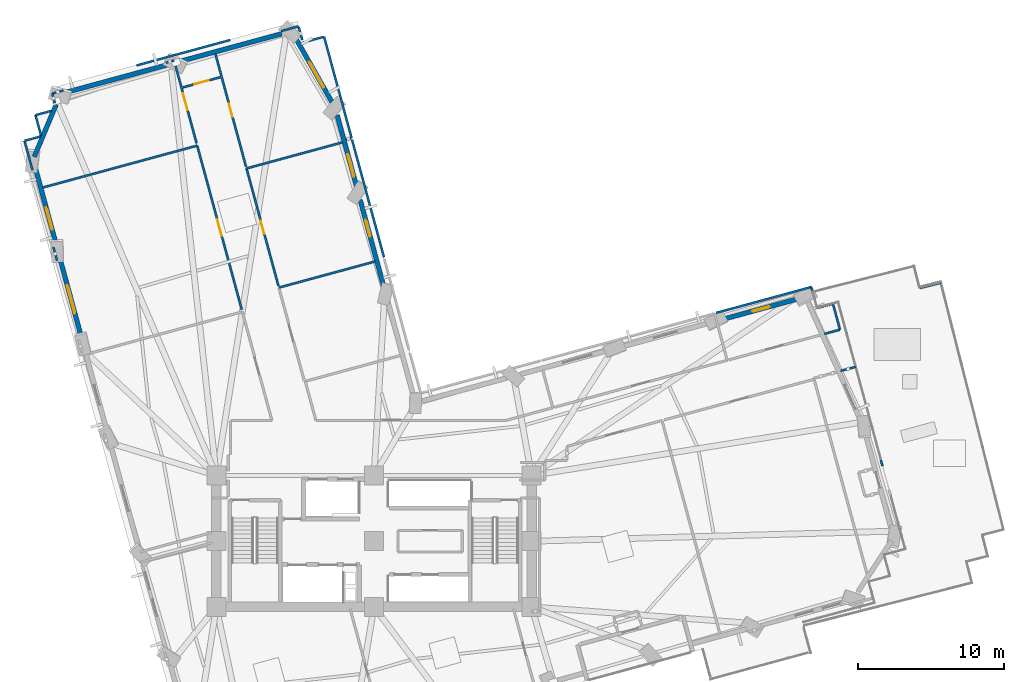
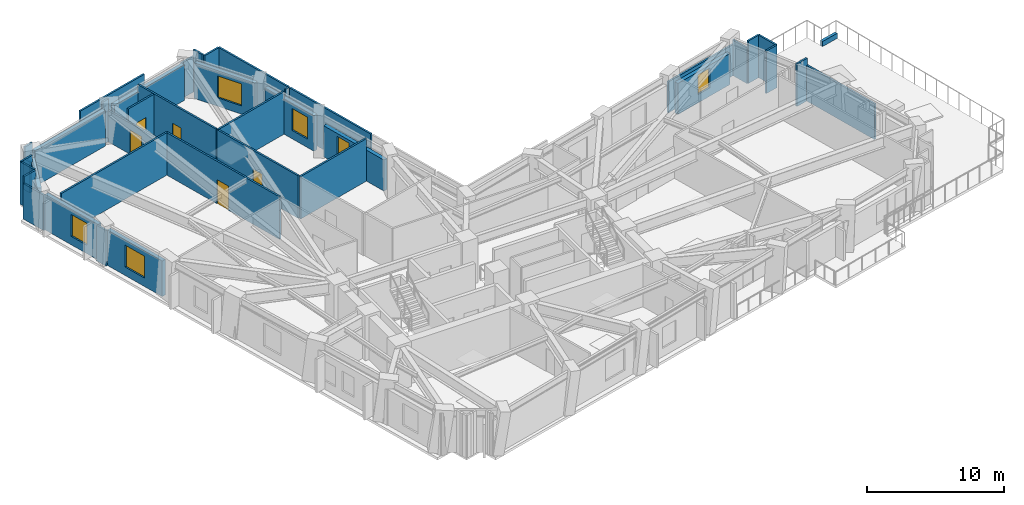
# One storey, part 10 of 15: 40 walls, 6 windows, 5 doors, 11 openings.
"""IFC4 building model written with IfcOpenShell, lengths in metres."""

from ifc_helpers import new_model, si_unit, direction, frame, frame_2d, origin, place, context, subcontext, project, spatial, rectangle, extrude, material, layer, layer_set, type_object, element, fill, save


model = new_model("IFC4")

# Units and contexts
model_context = context("Model", 3, precision=1e-05, world=origin(), true_north=direction((0.0, 1.0)))
body_context = subcontext(model_context, "Body", "Model", "MODEL_VIEW")
ifc_project = project(units=[si_unit("LENGTHUNIT", "METRE"), si_unit("AREAUNIT", "SQUARE_METRE"), si_unit("VOLUMEUNIT", "CUBIC_METRE"), si_unit("PLANEANGLEUNIT", "RADIAN"), si_unit("MASSUNIT", "GRAM", prefix="KILO")], contexts=[model_context])

# Site, building, storey
site_placement = place(None, origin())
site = spatial("IfcSite", under=ifc_project, at=site_placement, CompositionType="ELEMENT")
building_placement = place(site_placement, origin())
building = spatial("IfcBuilding", under=site, at=building_placement, Name="Gaonmaruhae Medical Tower", CompositionType="ELEMENT")
storey_placement = place(building_placement, frame((0.0, 0.0, 88.39990234375)))
storey = spatial("IfcBuildingStorey", under=building, at=storey_placement, Name="L20", CompositionType="ELEMENT", Elevation=88.39990234375)

# Wall, opening, window
ifc_material_1 = material(Name="Precast concrete C45/55", Category="concrete")
ifc_layer_1 = layer(ifc_material_1, 0.320068359375)
ifc_layer_set_1 = layer_set([ifc_layer_1], Name="Precast concrete C45/55")
wall_type_1 = type_object("IfcWallType", Name="EW-320 Lower Precast Masonry-Frame Facade Wall", PredefinedType="SOLIDWALL", material=ifc_layer_set_1)
wall_1_placement = place(storey_placement, frame((48.7099609375, 27.50634765625, 0.0), z_axis=(0.0, 0.0, 1.0), x_axis=(0.965018764752, 0.262180822479, 0.0)))
wall_1 = element("IfcWall", 1, at=wall_1_placement, inside=storey, type_object=wall_type_1, Name="L20 Precast Masonry-Frame Wall E03-EN01", PredefinedType="SOLIDWALL", context=body_context, shape_type="SweptSolid", body=[
    extrude(rectangle(XDim=5.404541015625, YDim=0.320068359375, at=frame_2d((2.7021484375, 0.0))), origin(), (0.0, 0.0, 1.0), 2.76513671875),
])
opening_1_placement = place(wall_1_placement, frame((2.09814453125, 0.0, 0.75)))
opening_1 = element("IfcOpeningElement", 2, at=opening_1_placement, cuts=wall_1, Name="Opening WN-05", PredefinedType="OPENING", context=body_context, shape_type="SweptSolid", body=[
    extrude(rectangle(XDim=1.199951171875, YDim=1.75, at=frame_2d((0.60009765625, 0.875))), frame((0.0, 0.169921875, 0.0), z_axis=(0.0, -1.0, 0.0), x_axis=(1.0, 0.0, 0.0)), (0.0, 0.0, 1.0), 0.340087890625),
])
ifc_material_2 = material(Name="Anodised aluminium and Low-E double glazing", Category="aluminium")
window_type_1 = type_object("IfcWindowType", Name="WN-05 Support & Staff Punched Window 1200x1750", PartitioningType="SINGLE_PANEL", PredefinedType="WINDOW", material=ifc_material_2)
window_1_placement = place(opening_1_placement, origin())
window_1 = element("IfcWindow", 3, at=window_1_placement, inside=storey, type_object=window_type_1, Name="L20 Modular Facade Window E03", OverallHeight=1.75, OverallWidth=1.199951171875, PartitioningType="SINGLE_PANEL", PredefinedType="WINDOW", context=body_context, shape_type="SweptSolid", body=[
    extrude(rectangle(XDim=1.199951171875, YDim=1.75, at=frame_2d((0.60009765625, 0.875))), frame((0.0, 0.030029296875, 0.0), z_axis=(0.0, -1.0, 0.0), x_axis=(1.0, 0.0, 0.0)), (0.0, 0.0, 1.0), 0.06005859375),
])
fill(opening_1, window_1)

wall_2_placement = place(storey_placement, frame((23.8544921875, 35.68701171875, 0.0), z_axis=(0.0, 0.0, 1.0), x_axis=(0.262204330766, -0.965012377603, 0.0)))
wall_2 = element("IfcWall", 4, at=wall_2_placement, inside=storey, type_object=wall_type_1, Name="L20 Precast Masonry-Frame Wall NE01-NE02", PredefinedType="SOLIDWALL", context=body_context, shape_type="SweptSolid", body=[
    extrude(rectangle(XDim=6.22265625, YDim=0.320068359375, at=frame_2d((3.111328125, 0.0))), origin(), (0.0, 0.0, 1.0), 2.76513671875),
])
opening_2_placement = place(wall_2_placement, frame((1.40869140625, 0.0, 0.75)))
opening_2 = element("IfcOpeningElement", 5, at=opening_2_placement, cuts=wall_2, Name="Opening WN-05", PredefinedType="OPENING", context=body_context, shape_type="SweptSolid", body=[
    extrude(rectangle(XDim=1.199951171875, YDim=1.75, at=frame_2d((0.60009765625, 0.875))), frame((0.0, 0.169921875, 0.0), z_axis=(0.0, -1.0, 0.0), x_axis=(1.0, 0.0, 0.0)), (0.0, 0.0, 1.0), 0.340087890625),
])
window_2_placement = place(opening_2_placement, origin())
window_2 = element("IfcWindow", 6, at=window_2_placement, inside=storey, type_object=window_type_1, Name="L20 Modular Facade Window NE01", OverallHeight=1.75, OverallWidth=1.199951171875, PartitioningType="SINGLE_PANEL", PredefinedType="WINDOW", context=body_context, shape_type="SweptSolid", body=[
    extrude(rectangle(XDim=1.199951171875, YDim=1.75, at=frame_2d((0.60009765625, 0.875))), frame((0.0, 0.030029296875, 0.0), z_axis=(0.0, -1.0, 0.0), x_axis=(1.0, 0.0, 0.0)), (0.0, 0.0, 1.0), 0.06005859375),
])
fill(opening_2, window_2)

wall_3_placement = place(storey_placement, frame((22.27783203125, 41.49072265625, 0.0), z_axis=(0.0, 0.0, 1.0), x_axis=(0.262175888255, -0.965020105292, 0.0)))
wall_3 = element("IfcWall", 7, at=wall_3_placement, inside=storey, type_object=wall_type_1, Name="L20 Precast Masonry-Frame Wall NE02-NE03", PredefinedType="SOLIDWALL", context=body_context, shape_type="SweptSolid", body=[
    extrude(rectangle(XDim=5.047119140625, YDim=0.320068359375, at=frame_2d((2.5234375, 0.0))), origin(), (0.0, 0.0, 1.0), 3.1650390625),
])
opening_3_placement = place(wall_3_placement, frame((2.773193359375, 0.0, 0.75)))
opening_3 = element("IfcOpeningElement", 8, at=opening_3_placement, cuts=wall_3, Name="Opening WN-01", PredefinedType="OPENING", context=body_context, shape_type="SweptSolid", body=[
    extrude(rectangle(XDim=1.60009765625, YDim=1.949951171875, at=frame_2d((0.800048828125, 0.97509765625))), frame((0.0, 0.169921875, 0.0), z_axis=(0.0, -1.0, 0.0), x_axis=(1.0, 0.0, 0.0)), (0.0, 0.0, 1.0), 0.340087890625),
])
window_type_2 = type_object("IfcWindowType", Name="WN-01 Ward Punched Acoustic Window 1600x1950", PartitioningType="SINGLE_PANEL", PredefinedType="WINDOW", material=ifc_material_2)
window_3_placement = place(opening_3_placement, origin())
window_3 = element("IfcWindow", 9, at=window_3_placement, inside=storey, type_object=window_type_2, Name="L20 Modular Facade Window NE02", OverallHeight=1.949951171875, OverallWidth=1.60009765625, PartitioningType="SINGLE_PANEL", PredefinedType="WINDOW", context=body_context, shape_type="SweptSolid", body=[
    extrude(rectangle(XDim=1.60009765625, YDim=1.949951171875, at=frame_2d((0.800048828125, 0.97509765625))), frame((0.0, 0.030029296875, 0.0), z_axis=(0.0, -1.0, 0.0), x_axis=(1.0, 0.0, 0.0)), (0.0, 0.0, 1.0), 0.06005859375),
])
fill(opening_3, window_3)

wall_4_placement = place(storey_placement, frame((19.38525390625, 46.850341796875, 0.0), z_axis=(0.0, 0.0, 1.0), x_axis=(0.49366585325, -0.869651668966, 0.0)))
wall_4 = element("IfcWall", 10, at=wall_4_placement, inside=storey, type_object=wall_type_1, Name="L20 Precast Masonry-Frame Wall NE03-N01", PredefinedType="SOLIDWALL", context=body_context, shape_type="SweptSolid", body=[
    extrude(rectangle(XDim=5.12841796875, YDim=0.320068359375, at=frame_2d((2.564208984375, 0.0))), origin(), (0.0, 0.0, 1.0), 3.1650390625),
])
opening_4_placement = place(wall_4_placement, frame((1.993408203125, 0.0, 0.75)))
opening_4 = element("IfcOpeningElement", 11, at=opening_4_placement, cuts=wall_4, Name="Opening WN-02", PredefinedType="OPENING", context=body_context, shape_type="SweptSolid", body=[
    extrude(rectangle(XDim=2.0, YDim=1.949951171875, at=frame_2d((1.0, 0.97509765625))), frame((0.0, 0.169921875, 0.0), z_axis=(0.0, -1.0, 0.0), x_axis=(1.0, 0.0, 0.0)), (0.0, 0.0, 1.0), 0.340087890625),
])
window_type_3 = type_object("IfcWindowType", Name="WN-02 Double-Bed Ward Punched Window 2000x1950", PartitioningType="SINGLE_PANEL", PredefinedType="WINDOW", material=ifc_material_2)
window_4_placement = place(opening_4_placement, origin())
window_4 = element("IfcWindow", 12, at=window_4_placement, inside=storey, type_object=window_type_3, Name="L20 Modular Facade Window NE03", OverallHeight=1.949951171875, OverallWidth=2.0, PartitioningType="SINGLE_PANEL", PredefinedType="WINDOW", context=body_context, shape_type="SweptSolid", body=[
    extrude(rectangle(XDim=2.0, YDim=1.949951171875, at=frame_2d((1.0, 0.97509765625))), frame((0.0, 0.030029296875, 0.0), z_axis=(0.0, -1.0, 0.0), x_axis=(1.0, 0.0, 0.0)), (0.0, 0.0, 1.0), 0.06005859375),
])
fill(opening_4, window_4)

# Walls
wall_5_placement = place(storey_placement, frame((11.503662109375, 45.169189453125, 0.0), z_axis=(0.0, 0.0, 1.0), x_axis=(0.965021257098, 0.262171648638, 0.0)))
element("IfcWall", 13, at=wall_5_placement, inside=storey, type_object=wall_type_1, Name="L20 Precast Masonry-Frame Wall N01-N02", PredefinedType="SOLIDWALL", context=body_context, shape_type="SweptSolid", body=[
    extrude(rectangle(XDim=7.23095703125, YDim=0.320068359375, at=frame_2d((3.615478515625, 0.0))), origin(), (0.0, 0.0, 1.0), 3.1650390625),
])
wall_6_placement = place(storey_placement, frame((3.56689453125, 43.0126953125, 0.0), z_axis=(0.0, 0.0, 1.0), x_axis=(0.965013691383, 0.262199495505, 0.0)))
element("IfcWall", 14, at=wall_6_placement, inside=storey, type_object=wall_type_1, Name="L20 Precast Masonry-Frame Wall N02-N03", PredefinedType="SOLIDWALL", context=body_context, shape_type="SweptSolid", body=[
    extrude(rectangle(XDim=7.270263671875, YDim=0.320068359375, at=frame_2d((3.63525390625, 0.0))), origin(), (0.0, 0.0, 1.0), 3.1650390625),
])
wall_7_placement = place(storey_placement, frame((1.52685546875, 38.637939453125, 0.0), z_axis=(0.0, 0.0, 1.0), x_axis=(0.386330597776, 0.922360379256, 0.0)))
element("IfcWall", 15, at=wall_7_placement, inside=storey, type_object=wall_type_1, Name="L20 Precast Masonry-Frame Wall N03-W01", PredefinedType="SOLIDWALL", context=body_context, shape_type="SweptSolid", body=[
    extrude(rectangle(XDim=3.8896484375, YDim=0.320068359375, at=frame_2d((1.94482421875, 0.0))), origin(), (0.0, 0.0, 1.0), 3.1650390625),
])

# Wall, opening, window
wall_8_placement = place(storey_placement, frame((3.05908203125, 32.51416015625, 0.0), z_axis=(0.0, 0.0, 1.0), x_axis=(-0.262197133117, 0.965014333254, 0.0)))
wall_8 = element("IfcWall", 16, at=wall_8_placement, inside=storey, type_object=wall_type_1, Name="L20 Precast Masonry-Frame Wall W01-W02", PredefinedType="SOLIDWALL", context=body_context, shape_type="SweptSolid", body=[
    extrude(rectangle(XDim=5.45556640625, YDim=0.320068359375, at=frame_2d((2.727783203125, 0.0))), origin(), (0.0, 0.0, 1.0), 3.1650390625),
])
opening_5_placement = place(wall_8_placement, frame((1.160400390625, 0.0, 0.75)))
opening_5 = element("IfcOpeningElement", 17, at=opening_5_placement, cuts=wall_8, Name="Opening WN-01", PredefinedType="OPENING", context=body_context, shape_type="SweptSolid", body=[
    extrude(rectangle(XDim=1.60009765625, YDim=1.949951171875, at=frame_2d((0.800048828125, 0.97509765625))), frame((0.0, 0.169921875, 0.0), z_axis=(0.0, -1.0, 0.0), x_axis=(1.0, 0.0, 0.0)), (0.0, 0.0, 1.0), 0.340087890625),
])
window_5_placement = place(opening_5_placement, origin())
window_5 = element("IfcWindow", 18, at=window_5_placement, inside=storey, type_object=window_type_2, Name="L20 Modular Facade Window W01", OverallHeight=1.949951171875, OverallWidth=1.60009765625, PartitioningType="SINGLE_PANEL", PredefinedType="WINDOW", context=body_context, shape_type="SweptSolid", body=[
    extrude(rectangle(XDim=1.60009765625, YDim=1.949951171875, at=frame_2d((0.800048828125, 0.97509765625))), frame((0.0, 0.030029296875, 0.0), z_axis=(0.0, -1.0, 0.0), x_axis=(1.0, 0.0, 0.0)), (0.0, 0.0, 1.0), 0.06005859375),
])
fill(opening_5, window_5)

wall_9_placement = place(storey_placement, frame((4.78662109375, 26.156005859375, 0.0), z_axis=(0.0, 0.0, 1.0), x_axis=(-0.262236334179, 0.965003681359, 0.0)))
wall_9 = element("IfcWall", 19, at=wall_9_placement, inside=storey, type_object=wall_type_1, Name="L20 Precast Masonry-Frame Wall W02-W03", PredefinedType="SOLIDWALL", context=body_context, shape_type="SweptSolid", body=[
    extrude(rectangle(XDim=5.6279296875, YDim=0.320068359375, at=frame_2d((2.81396484375, 0.0))), origin(), (0.0, 0.0, 1.0), 3.1650390625),
])
opening_6_placement = place(wall_9_placement, frame((1.811279296875, 0.0, 0.75)))
opening_6 = element("IfcOpeningElement", 20, at=opening_6_placement, cuts=wall_9, Name="Opening WN-02", PredefinedType="OPENING", context=body_context, shape_type="SweptSolid", body=[
    extrude(rectangle(XDim=2.0, YDim=1.949951171875, at=frame_2d((1.0, 0.97509765625))), frame((0.0, 0.169921875, 0.0), z_axis=(0.0, -1.0, 0.0), x_axis=(1.0, 0.0, 0.0)), (0.0, 0.0, 1.0), 0.340087890625),
])
window_6_placement = place(opening_6_placement, origin())
window_6 = element("IfcWindow", 21, at=window_6_placement, inside=storey, type_object=window_type_3, Name="L20 Modular Facade Window W02", OverallHeight=1.949951171875, OverallWidth=2.0, PartitioningType="SINGLE_PANEL", PredefinedType="WINDOW", context=body_context, shape_type="SweptSolid", body=[
    extrude(rectangle(XDim=2.0, YDim=1.949951171875, at=frame_2d((1.0, 0.97509765625))), frame((0.0, 0.030029296875, 0.0), z_axis=(0.0, -1.0, 0.0), x_axis=(1.0, 0.0, 0.0)), (0.0, 0.0, 1.0), 0.06005859375),
])
fill(opening_6, window_6)

# Walls
ifc_layer_2 = layer(ifc_material_1, 0.239990234375)
ifc_layer_set_2 = layer_set([ifc_layer_2], Name="Precast concrete C45/55")
wall_type_2 = type_object("IfcWallType", Name="PP-240 Sky Garden & Podium Roof Parapet Wall", PredefinedType="PARAPET", material=ifc_layer_set_2)
wall_10_placement = place(storey_placement, frame((62.177001953125, 29.6845703125, 0.0), z_axis=(0.0, 0.0, 1.0), x_axis=(0.969245560491, 0.24609559823, 0.0)))
element("IfcWall", 22, at=wall_10_placement, inside=storey, type_object=wall_type_2, Name="L20 Terrace Kerb Parapet SLB-L20-SKYG1", PredefinedType="PARAPET", context=body_context, shape_type="SweptSolid", body=[
    extrude(rectangle(XDim=1.5, YDim=0.239990234375, at=frame_2d((0.75, 0.0))), origin(), (0.0, 0.0, 1.0), 0.4501953125),
])
ifc_material_3 = material(Name="Gypsum board partition", Category="gypsum")
ifc_layer_3 = layer(ifc_material_3, 0.14990234375)
ifc_layer_set_3 = layer_set([ifc_layer_3], Name="Gypsum board partition")
wall_type_3 = type_object("IfcWallType", Name="PW-150 Rated Clinical Corridor Partition", PredefinedType="PARTITIONING", material=ifc_layer_set_3)
wall_11_placement = place(storey_placement, frame((2.10791015625, 36.529052734375, 0.0), z_axis=(0.0, 0.0, 1.0), x_axis=(0.965040737157, 0.262099934427, 0.0)))
element("IfcWall", 23, at=wall_11_placement, inside=storey, type_object=wall_type_3, Name="L20 Interior Partition L20-WOF06-44", PredefinedType="PARTITIONING", context=body_context, shape_type="SweptSolid", body=[
    extrude(rectangle(XDim=10.96533203125, YDim=0.14990234375, at=frame_2d((5.482666015625, 0.0))), origin(), (0.0, 0.0, 1.0), 3.780029296875),
])

# Wall, opening, door
wall_12_placement = place(storey_placement, frame((12.68994140625, 39.403076171875, 0.0), z_axis=(0.0, 0.0, 1.0), x_axis=(0.262212125461, -0.965010259666, 0.0)))
wall_12 = element("IfcWall", 24, at=wall_12_placement, inside=storey, type_object=wall_type_3, Name="L20 Interior Partition L20-WOF06-45", PredefinedType="PARTITIONING", context=body_context, shape_type="SweptSolid", body=[
    extrude(rectangle(XDim=11.639404296875, YDim=0.14990234375, at=frame_2d((5.81982421875, 0.0))), origin(), (0.0, 0.0, 1.0), 3.780029296875),
])
opening_7_placement = place(wall_12_placement, frame((5.219482421875, 0.0, 0.0)))
opening_7 = element("IfcOpeningElement", 25, at=opening_7_placement, cuts=wall_12, Name="Opening CD-02", PredefinedType="OPENING", context=body_context, shape_type="SweptSolid", body=[
    extrude(rectangle(XDim=1.199951171875, YDim=2.14990234375, at=frame_2d((0.60009765625, 1.074951171875))), frame((0.0, 0.0849609375, 0.0), z_axis=(0.0, -1.0, 0.0), x_axis=(1.0, 0.0, 0.0)), (0.0, 0.0, 1.0), 0.169921875),
])
ifc_material_4 = material(Name="Antimicrobial laminate timber fire door", Category="wood")
door_type_1 = type_object("IfcDoorType", Name="CD-02 Clinical Treatment & Procedure Door 1200x2150", OperationType="NOTDEFINED", PredefinedType="DOOR", material=ifc_material_4)
door_1_placement = place(opening_7_placement, origin())
door_1 = element("IfcDoor", 26, at=door_1_placement, inside=storey, type_object=door_type_1, Name="L20 Ward Physician Reporting Office Door", OperationType="SINGLE_SWING_RIGHT", OverallHeight=2.14990234375, OverallWidth=1.199951171875, PredefinedType="DOOR", context=body_context, shape_type="SweptSolid", body=[
    extrude(rectangle(XDim=1.199951171875, YDim=2.14990234375, at=frame_2d((0.60009765625, 1.074951171875))), frame((0.0, 0.02490234375, 0.0), z_axis=(0.0, -1.0, 0.0), x_axis=(1.0, 0.0, 0.0)), (0.0, 0.0, 1.0), 0.050048828125),
])
fill(opening_7, door_1)

# Walls
wall_13_placement = place(storey_placement, frame((3.089111328125, 31.527099609375, 0.0), z_axis=(0.0, 0.0, 1.0), x_axis=(-0.26251526429, 0.964927839797, 0.0)))
element("IfcWall", 27, at=wall_13_placement, inside=storey, type_object=wall_type_3, Name="L20 Interior Partition L20-WOF06-47", PredefinedType="PARTITIONING", context=body_context, shape_type="SweptSolid", body=[
    extrude(rectangle(XDim=0.960693359375, YDim=0.14990234375, at=frame_2d((0.48046875, 0.0))), origin(), (0.0, 0.0, 1.0), 3.1650390625),
])
wall_14_placement = place(storey_placement, frame((1.60302734375, 41.4951171875, 0.0), z_axis=(0.0, 0.0, 1.0), x_axis=(0.965173371919, 0.261611089478, 0.0)))
element("IfcWall", 28, at=wall_14_placement, inside=storey, type_object=wall_type_3, Name="L20 Interior Partition L20-WOF07-48", PredefinedType="PARTITIONING", context=body_context, shape_type="SweptSolid", body=[
    extrude(rectangle(XDim=1.138427734375, YDim=0.14990234375, at=frame_2d((0.5693359375, 0.0))), origin(), (0.0, 0.0, 1.0), 3.780029296875),
])
wall_15_placement = place(storey_placement, frame((2.93310546875, 42.320068359375, 0.0), z_axis=(0.0, 0.0, 1.0), x_axis=(-0.261796029019, 0.965123224873, 0.0)))
element("IfcWall", 29, at=wall_15_placement, inside=storey, type_object=wall_type_3, Name="L20 Interior Partition L20-WOF07-49", PredefinedType="PARTITIONING", context=body_context, shape_type="SweptSolid", body=[
    extrude(rectangle(XDim=0.67236328125, YDim=0.14990234375, at=frame_2d((0.336181640625, 0.0))), origin(), (0.0, 0.0, 1.0), 2.76513671875),
])
wall_16_placement = place(storey_placement, frame((2.757080078125, 42.968994140625, 0.0), z_axis=(0.0, 0.0, 1.0), x_axis=(0.964955470626, 0.26241368049, 0.0)))
element("IfcWall", 30, at=wall_16_placement, inside=storey, type_object=wall_type_3, Name="L20 Interior Partition L20-WOF07-50", PredefinedType="PARTITIONING", context=body_context, shape_type="SweptSolid", body=[
    extrude(rectangle(XDim=0.792724609375, YDim=0.14990234375, at=frame_2d((0.396484375, 0.0))), origin(), (0.0, 0.0, 1.0), 3.780029296875),
])
wall_17_placement = place(storey_placement, frame((10.5380859375, 45.0830078125, 0.0), z_axis=(0.0, 0.0, 1.0), x_axis=(0.965003184942, 0.262238160938, 0.0)))
element("IfcWall", 31, at=wall_17_placement, inside=storey, type_object=wall_type_3, Name="L20 Interior Partition L20-WOF07-51", PredefinedType="PARTITIONING", context=body_context, shape_type="SweptSolid", body=[
    extrude(rectangle(XDim=0.58740234375, YDim=0.14990234375, at=frame_2d((0.293701171875, 0.0))), origin(), (0.0, 0.0, 1.0), 3.780029296875),
])

# Wall, opening, door
wall_18_placement = place(storey_placement, frame((11.10498046875, 45.237060546875, 0.0), z_axis=(0.0, 0.0, 1.0), x_axis=(0.262194053335, -0.965015170034, 0.0)))
wall_18 = element("IfcWall", 32, at=wall_18_placement, inside=storey, type_object=wall_type_3, Name="L20 Interior Partition L20-WOF07-52", PredefinedType="PARTITIONING", context=body_context, shape_type="SweptSolid", body=[
    extrude(rectangle(XDim=5.884765625, YDim=0.14990234375, at=frame_2d((2.9423828125, 0.0))), origin(), (0.0, 0.0, 1.0), 2.76513671875),
])
opening_8_placement = place(wall_18_placement, frame((2.34228515625, 0.0, 0.0)))
opening_8 = element("IfcOpeningElement", 33, at=opening_8_placement, cuts=wall_18, Name="Opening CD-02", PredefinedType="OPENING", context=body_context, shape_type="SweptSolid", body=[
    extrude(rectangle(XDim=1.199951171875, YDim=2.14990234375, at=frame_2d((0.60009765625, 1.074951171875))), frame((0.0, 0.0849609375, 0.0), z_axis=(0.0, -1.0, 0.0), x_axis=(1.0, 0.0, 0.0)), (0.0, 0.0, 1.0), 0.169921875),
])
door_2_placement = place(opening_8_placement, origin())
door_2 = element("IfcDoor", 34, at=door_2_placement, inside=storey, type_object=door_type_1, Name="L20 Ward Physician Reporting Office Door", OperationType="SINGLE_SWING_RIGHT", OverallHeight=2.14990234375, OverallWidth=1.199951171875, PredefinedType="DOOR", context=body_context, shape_type="SweptSolid", body=[
    extrude(rectangle(XDim=1.199951171875, YDim=2.14990234375, at=frame_2d((0.60009765625, 1.074951171875))), frame((0.0, 0.02490234375, 0.0), z_axis=(0.0, -1.0, 0.0), x_axis=(1.0, 0.0, 0.0)), (0.0, 0.0, 1.0), 0.050048828125),
])
fill(opening_8, door_2)

# Walls
wall_19_placement = place(storey_placement, frame((1.406982421875, 37.718994140625, 0.0), z_axis=(0.0, 0.0, 1.0), x_axis=(-0.262416350704, 0.964954744474, 0.0)))
element("IfcWall", 35, at=wall_19_placement, inside=storey, type_object=wall_type_3, Name="L20 Interior Partition L20-WOF07-53", PredefinedType="PARTITIONING", context=body_context, shape_type="SweptSolid", body=[
    extrude(rectangle(XDim=2.09228515625, YDim=0.14990234375, at=frame_2d((1.046142578125, 0.0))), origin(), (0.0, 0.0, 1.0), 3.1650390625),
])
wall_20_placement = place(storey_placement, frame((0.85791015625, 39.738037109375, 0.0), z_axis=(0.0, 0.0, 1.0), x_axis=(0.965086644791, 0.261930845923, 0.0)))
element("IfcWall", 36, at=wall_20_placement, inside=storey, type_object=wall_type_3, Name="L20 Interior Partition L20-WOF07-54", PredefinedType="PARTITIONING", context=body_context, shape_type="SweptSolid", body=[
    extrude(rectangle(XDim=1.149169921875, YDim=0.14990234375, at=frame_2d((0.57470703125, 0.0))), origin(), (0.0, 0.0, 1.0), 3.780029296875),
])
wall_21_placement = place(storey_placement, frame((1.987060546875, 40.0849609375, 0.0), z_axis=(0.0, 0.0, 1.0), x_axis=(-0.262764020713, 0.964860129459, 0.0)))
element("IfcWall", 37, at=wall_21_placement, inside=storey, type_object=wall_type_3, Name="L20 Interior Partition L20-WOF07-55", PredefinedType="PARTITIONING", context=body_context, shape_type="SweptSolid", body=[
    extrude(rectangle(XDim=1.46142578125, YDim=0.14990234375, at=frame_2d((0.730712890625, 0.0))), origin(), (0.0, 0.0, 1.0), 3.780029296875),
])
wall_22_placement = place(storey_placement, frame((56.72607421875, 26.79296875, 0.0), z_axis=(0.0, 0.0, 1.0), x_axis=(-0.965024633798, -0.262159219109, 0.0)))
element("IfcWall", 38, at=wall_22_placement, inside=storey, type_object=wall_type_3, Name="L20 Interior Partition L20-IE03-66", PredefinedType="PARTITIONING", context=body_context, shape_type="SweptSolid", body=[
    extrude(rectangle(XDim=1.121337890625, YDim=0.14990234375, at=frame_2d((0.560546875, 0.0))), origin(), (0.0, 0.0, 1.0), 3.780029296875),
])
wall_23_placement = place(storey_placement, frame((48.239013671875, 27.947998046875, 0.0), z_axis=(0.0, 0.0, 1.0), x_axis=(0.965024675102, 0.262159067064, 0.0)))
element("IfcWall", 39, at=wall_23_placement, inside=storey, type_object=wall_type_3, Name="L20 Interior Partition L20-IE03-68", PredefinedType="PARTITIONING", context=body_context, shape_type="SweptSolid", body=[
    extrude(rectangle(XDim=6.748046875, YDim=0.14990234375, at=frame_2d((3.3740234375, 0.0))), origin(), (0.0, 0.0, 1.0), 2.76513671875),
])
wall_24_placement = place(storey_placement, frame((54.7509765625, 29.717041015625, 0.0), z_axis=(0.0, 0.0, 1.0), x_axis=(0.262139102187, -0.965030098549, 0.0)))
element("IfcWall", 40, at=wall_24_placement, inside=storey, type_object=wall_type_3, Name="L20 Interior Partition L20-IE03-69", PredefinedType="PARTITIONING", context=body_context, shape_type="SweptSolid", body=[
    extrude(rectangle(XDim=1.49951171875, YDim=0.14990234375, at=frame_2d((0.749755859375, 0.0))), origin(), (0.0, 0.0, 1.0), 3.1650390625),
])
wall_25_placement = place(storey_placement, frame((55.14404296875, 28.27001953125, 0.0), z_axis=(0.0, 0.0, 1.0), x_axis=(0.964961269927, 0.262392354198, 0.0)))
element("IfcWall", 41, at=wall_25_placement, inside=storey, type_object=wall_type_3, Name="L20 Interior Partition L20-IE03-70", PredefinedType="PARTITIONING", context=body_context, shape_type="SweptSolid", body=[
    extrude(rectangle(XDim=1.139892578125, YDim=0.14990234375, at=frame_2d((0.56982421875, 0.0))), origin(), (0.0, 0.0, 1.0), 3.780029296875),
])
wall_26_placement = place(storey_placement, frame((56.243896484375, 28.569091796875, 0.0), z_axis=(0.0, 0.0, 1.0), x_axis=(0.261994757471, -0.965069296506, 0.0)))
element("IfcWall", 42, at=wall_26_placement, inside=storey, type_object=wall_type_3, Name="L20 Interior Partition L20-IE03-71", PredefinedType="PARTITIONING", context=body_context, shape_type="SweptSolid", body=[
    extrude(rectangle(XDim=1.84033203125, YDim=0.14990234375, at=frame_2d((0.920166015625, 0.0))), origin(), (0.0, 0.0, 1.0), 3.780029296875),
])
wall_27_placement = place(storey_placement, frame((18.285888671875, 29.675048828125, 0.0), z_axis=(0.0, 0.0, 1.0), x_axis=(0.965020446002, 0.262174634161, 0.0)))
element("IfcWall", 43, at=wall_27_placement, inside=storey, type_object=wall_type_3, Name="L20 Interior Partition L20-IN01-73", PredefinedType="PARTITIONING", context=body_context, shape_type="SweptSolid", body=[
    extrude(rectangle(XDim=6.815673828125, YDim=0.14990234375, at=frame_2d((3.40771484375, 0.0))), origin(), (0.0, 0.0, 1.0), 3.780029296875),
])

# Wall, opening, door
wall_28_placement = place(storey_placement, frame((18.2548828125, 29.791015625, 0.0), z_axis=(0.0, 0.0, 1.0), x_axis=(-0.262205746142, 0.965011993029, 0.0)))
wall_28 = element("IfcWall", 44, at=wall_28_placement, inside=storey, type_object=wall_type_3, Name="L20 Interior Partition L20-IN02-75", PredefinedType="PARTITIONING", context=body_context, shape_type="SweptSolid", body=[
    extrude(rectangle(XDim=8.33984375, YDim=0.14990234375, at=frame_2d((4.169921875, 0.0))), origin(), (0.0, 0.0, 1.0), 3.780029296875),
])
opening_9_placement = place(wall_28_placement, frame((3.7099609375, 0.0, 0.0)))
opening_9 = element("IfcOpeningElement", 45, at=opening_9_placement, cuts=wall_28, Name="Opening UD-01", PredefinedType="OPENING", context=body_context, shape_type="SweptSolid", body=[
    extrude(rectangle(XDim=0.919921875, YDim=2.10009765625, at=frame_2d((0.4599609375, 1.050048828125))), frame((0.0, 0.0849609375, 0.0), z_axis=(0.0, -1.0, 0.0), x_axis=(1.0, 0.0, 0.0)), (0.0, 0.0, 1.0), 0.169921875),
])
ifc_material_5 = material(Name="Powder-coated steel utility door", Category="steel")
door_type_2 = type_object("IfcDoorType", Name="UD-01 Toilet, Utility & Housekeeping Door 920x2100", OperationType="NOTDEFINED", PredefinedType="DOOR", material=ifc_material_5)
door_3_placement = place(opening_9_placement, origin())
door_3 = element("IfcDoor", 46, at=door_3_placement, inside=storey, type_object=door_type_2, Name="L20 Ward Nutrition Pantry Door", OperationType="SINGLE_SWING_RIGHT", OverallHeight=2.10009765625, OverallWidth=0.919921875, PredefinedType="DOOR", context=body_context, shape_type="SweptSolid", body=[
    extrude(rectangle(XDim=0.919921875, YDim=2.10009765625, at=frame_2d((0.4599609375, 1.050048828125))), frame((0.0, 0.02490234375, 0.0), z_axis=(0.0, -1.0, 0.0), x_axis=(1.0, 0.0, 0.0)), (0.0, 0.0, 1.0), 0.050048828125),
])
fill(opening_9, door_3)

# Walls
wall_29_placement = place(storey_placement, frame((16.068115234375, 37.839111328125, 0.0), z_axis=(0.0, 0.0, 1.0), x_axis=(0.965008131897, 0.262219956093, 0.0)))
element("IfcWall", 47, at=wall_29_placement, inside=storey, type_object=wall_type_3, Name="L20 Interior Partition L20-IN02-76", PredefinedType="PARTITIONING", context=body_context, shape_type="SweptSolid", body=[
    extrude(rectangle(XDim=6.814453125, YDim=0.14990234375, at=frame_2d((3.4072265625, 0.0))), origin(), (0.0, 0.0, 1.0), 3.780029296875),
])
wall_30_placement = place(storey_placement, frame((23.304931640625, 39.805908203125, 0.0), z_axis=(0.0, 0.0, 1.0), x_axis=(0.262240415099, -0.965002572374, 0.0)))
element("IfcWall", 48, at=wall_30_placement, inside=storey, type_object=wall_type_3, Name="L20 Interior Partition L20-IN02-77", PredefinedType="PARTITIONING", context=body_context, shape_type="SweptSolid", body=[
    extrude(rectangle(XDim=8.339599609375, YDim=0.14990234375, at=frame_2d((4.169921875, 0.0))), origin(), (0.0, 0.0, 1.0), 3.780029296875),
])
wall_31_placement = place(storey_placement, frame((21.385986328125, 46.8701171875, 0.0), z_axis=(0.0, 0.0, 1.0), x_axis=(0.26221636167, -0.965009108596, 0.0)))
element("IfcWall", 49, at=wall_31_placement, inside=storey, type_object=wall_type_3, Name="L20 Interior Partition L20-IN03-78", PredefinedType="PARTITIONING", context=body_context, shape_type="SweptSolid", body=[
    extrude(rectangle(XDim=7.199951171875, YDim=0.14990234375, at=frame_2d((3.60009765625, 0.0))), origin(), (0.0, 0.0, 1.0), 3.780029296875),
])
wall_32_placement = place(storey_placement, frame((23.22607421875, 39.908935546875, 0.0), z_axis=(0.0, 0.0, 1.0), x_axis=(-0.9649944567, -0.262270277651, 0.0)))
element("IfcWall", 50, at=wall_32_placement, inside=storey, type_object=wall_type_3, Name="L20 Interior Partition L20-IN03-79", PredefinedType="PARTITIONING", context=body_context, shape_type="SweptSolid", body=[
    extrude(rectangle(XDim=0.36572265625, YDim=0.14990234375, at=frame_2d((0.182861328125, 0.0))), origin(), (0.0, 0.0, 1.0), 3.780029296875),
])

# Wall, opening, door
wall_33_placement = place(storey_placement, frame((16.035888671875, 37.955078125, 0.0), z_axis=(0.0, 0.0, 1.0), x_axis=(-0.262109500246, 0.965038139081, 0.0)))
wall_33 = element("IfcWall", 51, at=wall_33_placement, inside=storey, type_object=wall_type_3, Name="L20 Interior Partition L20-IN03-80", PredefinedType="PARTITIONING", context=body_context, shape_type="SweptSolid", body=[
    extrude(rectangle(XDim=8.01513671875, YDim=0.14990234375, at=frame_2d((4.007568359375, 0.0))), origin(), (0.0, 0.0, 1.0), 3.780029296875),
])
opening_10_placement = place(wall_33_placement, frame((3.547607421875, 0.0, 0.0)))
opening_10 = element("IfcOpeningElement", 52, at=opening_10_placement, cuts=wall_33, Name="Opening UD-01", PredefinedType="OPENING", context=body_context, shape_type="SweptSolid", body=[
    extrude(rectangle(XDim=0.919921875, YDim=2.10009765625, at=frame_2d((0.4599609375, 1.050048828125))), frame((0.0, 0.0849609375, 0.0), z_axis=(0.0, -1.0, 0.0), x_axis=(1.0, 0.0, 0.0)), (0.0, 0.0, 1.0), 0.169921875),
])
door_4_placement = place(opening_10_placement, origin())
door_4 = element("IfcDoor", 53, at=door_4_placement, inside=storey, type_object=door_type_2, Name="L20 Public Visitor Toilet Door", OperationType="SINGLE_SWING_RIGHT", OverallHeight=2.10009765625, OverallWidth=0.919921875, PredefinedType="DOOR", context=body_context, shape_type="SweptSolid", body=[
    extrude(rectangle(XDim=0.919921875, YDim=2.10009765625, at=frame_2d((0.4599609375, 1.050048828125))), frame((0.0, 0.02490234375, 0.0), z_axis=(0.0, -1.0, 0.0), x_axis=(1.0, 0.0, 0.0)), (0.0, 0.0, 1.0), 0.050048828125),
])
fill(opening_10, door_4)

# Walls
wall_34_placement = place(storey_placement, frame((18.431884765625, 47.2490234375, 0.0), z_axis=(0.0, 0.0, 1.0), x_axis=(0.965082683379, 0.261945441346, 0.0)))
element("IfcWall", 54, at=wall_34_placement, inside=storey, type_object=wall_type_3, Name="L20 Interior Partition L20-IN03-81", PredefinedType="PARTITIONING", context=body_context, shape_type="SweptSolid", body=[
    extrude(rectangle(XDim=1.251708984375, YDim=0.14990234375, at=frame_2d((0.6259765625, 0.0))), origin(), (0.0, 0.0, 1.0), 3.1650390625),
])
wall_35_placement = place(storey_placement, frame((19.653076171875, 47.529052734375, 0.0), z_axis=(0.0, 0.0, 1.0), x_axis=(0.261720359667, -0.965143747499, 0.0)))
element("IfcWall", 55, at=wall_35_placement, inside=storey, type_object=wall_type_3, Name="L20 Interior Partition L20-IN03-82", PredefinedType="PARTITIONING", context=body_context, shape_type="SweptSolid", body=[
    extrude(rectangle(XDim=0.9169921875, YDim=0.14990234375, at=frame_2d((0.45849609375, 0.0))), origin(), (0.0, 0.0, 1.0), 3.780029296875),
])
wall_36_placement = place(storey_placement, frame((19.93896484375, 46.47607421875, 0.0), z_axis=(0.0, 0.0, 1.0), x_axis=(0.964880304912, 0.262689925945, 0.0)))
element("IfcWall", 56, at=wall_36_placement, inside=storey, type_object=wall_type_3, Name="L20 Interior Partition L20-IN03-83", PredefinedType="PARTITIONING", context=body_context, shape_type="SweptSolid", body=[
    extrude(rectangle(XDim=1.449951171875, YDim=0.14990234375, at=frame_2d((0.72509765625, 0.0))), origin(), (0.0, 0.0, 1.0), 3.780029296875),
])

# Wall, opening, door
wall_37_placement = place(storey_placement, frame((14.26708984375, 44.0859375, 0.0), z_axis=(0.0, 0.0, 1.0), x_axis=(-0.965010032649, -0.262212960943, 0.0)))
wall_37 = element("IfcWall", 57, at=wall_37_placement, inside=storey, type_object=wall_type_3, Name="L20 Interior Partition L20-RM01-84", PredefinedType="PARTITIONING", context=body_context, shape_type="SweptSolid", body=[
    extrude(rectangle(XDim=2.64990234375, YDim=0.14990234375, at=frame_2d((1.324951171875, 0.0))), origin(), (0.0, 0.0, 1.0), 3.780029296875),
])
opening_11_placement = place(wall_37_placement, frame((0.824951171875, 0.0, 0.0)))
opening_11 = element("IfcOpeningElement", 58, at=opening_11_placement, cuts=wall_37, Name="Opening CD-01", PredefinedType="OPENING", context=body_context, shape_type="SweptSolid", body=[
    extrude(rectangle(XDim=1.0, YDim=2.1201171875, at=frame_2d((0.5, 1.06005859375))), frame((0.0, 0.0849609375, 0.0), z_axis=(0.0, -1.0, 0.0), x_axis=(1.0, 0.0, 0.0)), (0.0, 0.0, 1.0), 0.169921875),
])
door_type_3 = type_object("IfcDoorType", Name="CD-01 Consultation & Physician Office Door 1000x2120", OperationType="NOTDEFINED", PredefinedType="DOOR", material=ifc_material_4)
door_5_placement = place(opening_11_placement, origin())
door_5 = element("IfcDoor", 59, at=door_5_placement, inside=storey, type_object=door_type_3, Name="L20 Clinical Case Review Office Door", OperationType="SINGLE_SWING_LEFT", OverallHeight=2.1201171875, OverallWidth=1.0, PredefinedType="DOOR", context=body_context, shape_type="SweptSolid", body=[
    extrude(rectangle(XDim=1.0, YDim=2.1201171875, at=frame_2d((0.5, 1.06005859375))), frame((0.0, 0.02490234375, 0.0), z_axis=(0.0, -1.0, 0.0), x_axis=(1.0, 0.0, 0.0)), (0.0, 0.0, 1.0), 0.050048828125),
])
fill(opening_11, door_5)

# Walls
wall_38_placement = place(storey_placement, frame((8.532958984375, 44.90087890625, 0.0), z_axis=(0.0, 0.0, 1.0), x_axis=(0.965008606139, 0.262218210804, 0.0)))
element("IfcWall", 60, at=wall_38_placement, inside=storey, type_object=wall_type_3, Name="L20 Interior Partition L20-RM01-85", PredefinedType="PARTITIONING", context=body_context, shape_type="SweptSolid", body=[
    extrude(rectangle(XDim=6.640380859375, YDim=0.14990234375, at=frame_2d((3.3203125, 0.0))), origin(), (0.0, 0.0, 1.0), 3.780029296875),
])
wall_39_placement = place(storey_placement, frame((56.77099609375, 23.966064453125, 0.0), z_axis=(0.0, 0.0, 1.0), x_axis=(0.965146256192, 0.261711108207, 0.0)))
element("IfcWall", 61, at=wall_39_placement, inside=storey, type_object=wall_type_3, Name="L20 Interior Partition L20-RM03-91", PredefinedType="PARTITIONING", context=body_context, shape_type="SweptSolid", body=[
    extrude(rectangle(XDim=1.057861328125, YDim=0.14990234375, at=frame_2d((0.52880859375, 0.0))), origin(), (0.0, 0.0, 1.0), 3.780029296875),
])
wall_40_placement = place(storey_placement, frame((57.7919921875, 24.242919921875, 0.0), z_axis=(0.0, 0.0, 1.0), x_axis=(0.26223396033, -0.965004326441, 0.0)))
element("IfcWall", 62, at=wall_40_placement, inside=storey, type_object=wall_type_3, Name="L20 Interior Partition L20-RM03-92", PredefinedType="PARTITIONING", context=body_context, shape_type="SweptSolid", body=[
    extrude(rectangle(XDim=7.039306640625, YDim=0.14990234375, at=frame_2d((3.51953125, 0.0))), origin(), (0.0, 0.0, 1.0), 3.1650390625),
])

save(model, "model.ifc")
